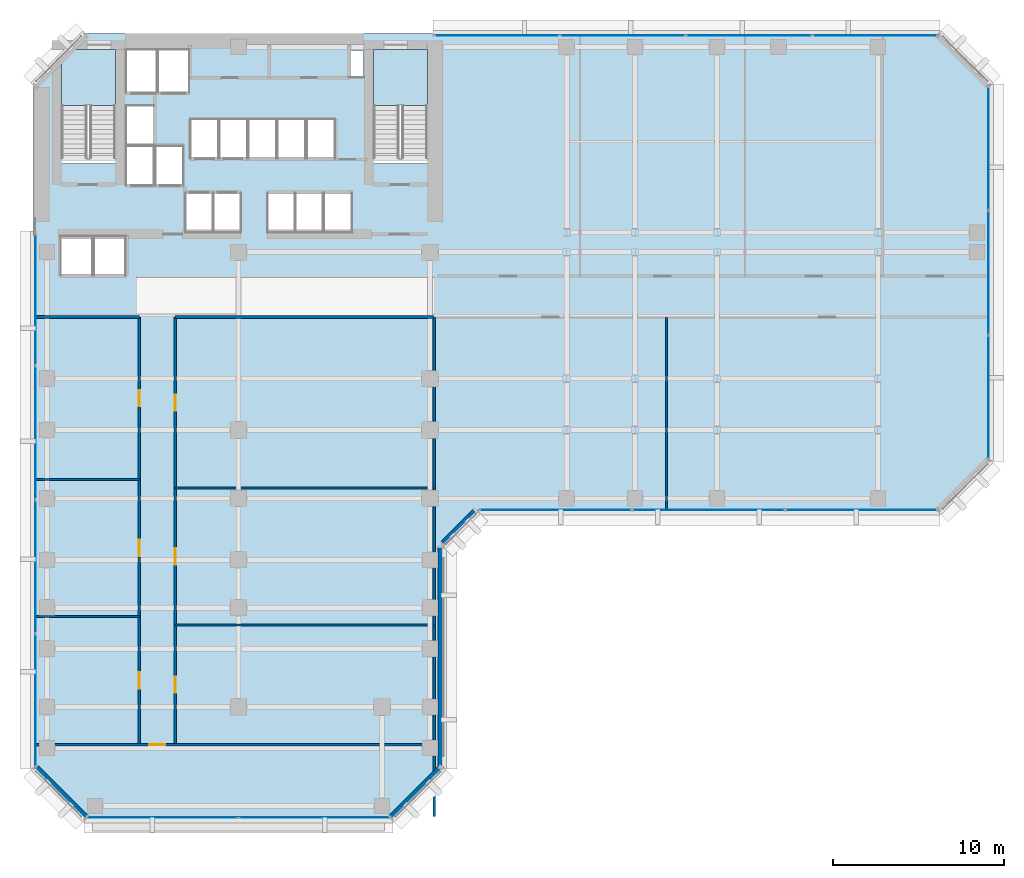
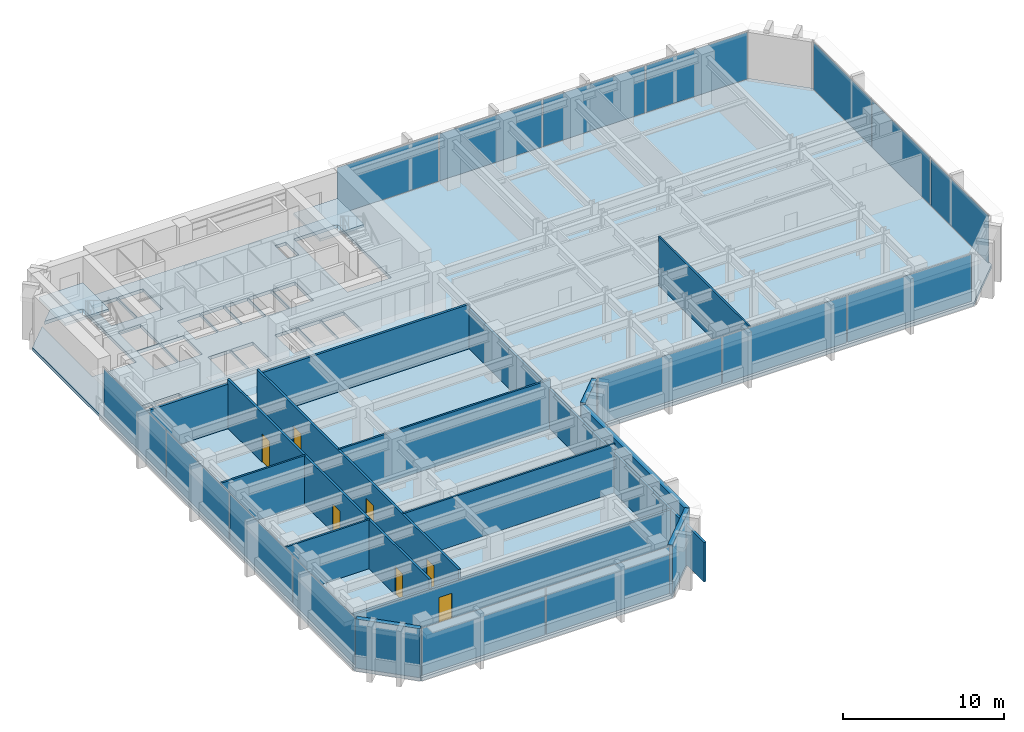
# One storey, part 6 of 13: 16 plates, 15 walls, 7 doors, 3 slabs, 7 openings, 7 elements without a shape of their own.
"""IFC4 building model written with IfcOpenShell, lengths in metres."""

from ifc_helpers import new_model, si_unit, direction, frame, frame_2d, origin, origin_2d, place, context, subcontext, project, spatial, polyline, rectangle, outline, extrude, material, layer, layer_set, type_object, element, fill, aggregate, save


model = new_model("IFC4")

# Units and contexts
model_context = context("Model", 3, precision=1e-05, world=origin(), true_north=direction((0.0, 1.0)))
body_context = subcontext(model_context, "Body", "Model", "MODEL_VIEW")
ifc_project = project(units=[si_unit("LENGTHUNIT", "METRE"), si_unit("AREAUNIT", "SQUARE_METRE"), si_unit("VOLUMEUNIT", "CUBIC_METRE"), si_unit("PLANEANGLEUNIT", "RADIAN"), si_unit("MASSUNIT", "GRAM", prefix="KILO")], contexts=[model_context])

# Site, building, storey
site_placement = place(None, origin())
site = spatial("IfcSite", under=ifc_project, at=site_placement, CompositionType="ELEMENT")
building_placement = place(site_placement, origin())
building = spatial("IfcBuilding", under=site, at=building_placement, Name="Kefirva Bronze Tower", CompositionType="ELEMENT")
storey_placement = place(building_placement, frame((0.0, 0.0, 98.669921875)))
storey = spatial("IfcBuildingStorey", under=building, at=storey_placement, Name="L23", CompositionType="ELEMENT", Elevation=98.669921875)

# Stair, slab
ifc_material_1 = material(Name="Concrete C40/50", Category="concrete")
stair_type = type_object("IfcStairType", Name="RC Dogleg Protected Stair 24R", PredefinedType="HALF_TURN_STAIR", material=ifc_material_1)
stair_1_placement = place(storey_placement, origin())
stair_1 = element("IfcStair", 1, at=stair_1_placement, inside=storey, type_object=stair_type, Name="L23 Protected Exit Stair 1", PredefinedType="HALF_TURN_STAIR")
ifc_layer_1 = layer(ifc_material_1, 0.199951171875, Name="Concrete C40/50")
ifc_layer_set_1 = layer_set([ifc_layer_1], Name="Concrete C40/50")
slab_type_1 = type_object("IfcSlabType", Name="RC Stair Landing Slab 200mm", PredefinedType="LANDING", material=ifc_layer_set_1)
slab_1_placement = place(storey_placement, frame((0.0, 0.0, 1.780029296875)))
slab_1 = element("IfcSlab", 2, at=slab_1_placement, type_object=slab_type_1, Name="ST-1 landing 1", PredefinedType="LANDING", context=body_context, shape_type="SweptSolid", body=[
    extrude(outline(polyline([(4.800048828125, 41.780029296875), (4.800048828125, 45.050048828125), (1.64990234375, 45.050048828125), (1.64990234375, 41.780029296875), (4.800048828125, 41.780029296875)])), origin(), (0.0, 0.0, 1.0), 0.199951171875),
])
aggregate(stair_1, [slab_1])

stair_2_placement = place(storey_placement, origin())
stair_2 = element("IfcStair", 3, at=stair_2_placement, inside=storey, type_object=stair_type, Name="L23 Protected Exit Stair 2", PredefinedType="HALF_TURN_STAIR")
slab_2_placement = place(storey_placement, frame((0.0, 0.0, 1.780029296875)))
slab_2 = element("IfcSlab", 4, at=slab_2_placement, type_object=slab_type_1, Name="ST-2 landing 1", PredefinedType="LANDING", context=body_context, shape_type="SweptSolid", body=[
    extrude(outline(polyline([(23.050048828125, 41.780029296875), (23.050048828125, 45.050048828125), (19.89990234375, 45.050048828125), (19.89990234375, 41.780029296875), (23.050048828125, 41.780029296875)])), origin(), (0.0, 0.0, 1.0), 0.199951171875),
])
aggregate(stair_2, [slab_2])

# Slab
ifc_layer_2 = layer(ifc_material_1, 0.25, Name="Concrete C40/50")
ifc_layer_set_2 = layer_set([ifc_layer_2], Name="Concrete C40/50")
slab_type_2 = type_object("IfcSlabType", Name="RC Tower Floor Slab 250mm", PredefinedType="FLOOR", material=ifc_layer_set_2)
slab_3_placement = place(storey_placement, frame((0.0, 0.0, -0.25)))
element("IfcSlab", 5, at=slab_3_placement, inside=storey, type_object=slab_type_2, Name="L23 Structural Floor Slab", PredefinedType="FLOOR", context=body_context, shape_type="SweptSolid", body=[
    extrude(outline(polyline([(0.0, 3.0), (0.0, 43.0), (1.64990234375, 44.64990234375), (1.64990234375, 38.39990234375), (4.800048828125, 38.39990234375), (4.800048828125, 45.050048828125), (2.050048828125, 45.050048828125), (3.0, 46.0), (53.0, 46.0), (56.0, 43.0), (56.0, 21.0), (53.0, 18.0), (26.0, 18.0), (24.0, 16.0), (24.0, 3.0), (21.0, 0.0), (3.0, 0.0), (0.0, 3.0)]), holes=[polyline([(19.89990234375, 38.39990234375), (23.050048828125, 38.39990234375), (23.050048828125, 45.050048828125), (19.89990234375, 45.050048828125), (19.89990234375, 38.39990234375)]), polyline([(18.52001953125, 43.419921875), (19.320068359375, 43.419921875), (19.320068359375, 45.0), (18.52001953125, 45.0), (18.52001953125, 43.419921875)]), polyline([(17.0, 34.35009765625), (18.64990234375, 34.35009765625), (18.64990234375, 36.64990234375), (17.0, 36.64990234375), (17.0, 34.35009765625)]), polyline([(17.64990234375, 38.679931640625), (17.64990234375, 40.97998046875), (16.0, 40.97998046875), (16.0, 38.679931640625), (17.64990234375, 38.679931640625)]), polyline([(16.949951171875, 34.35009765625), (16.949951171875, 36.64990234375), (15.35009765625, 36.64990234375), (15.35009765625, 34.35009765625), (16.949951171875, 34.35009765625)]), polyline([(15.929931640625, 38.679931640625), (15.929931640625, 40.97998046875), (14.300048828125, 40.97998046875), (14.300048828125, 38.679931640625), (15.929931640625, 38.679931640625)]), polyline([(15.300048828125, 34.35009765625), (15.300048828125, 36.64990234375), (13.699951171875, 36.64990234375), (13.699951171875, 34.35009765625), (15.300048828125, 34.35009765625)]), polyline([(14.22998046875, 38.679931640625), (14.22998046875, 40.97998046875), (12.60009765625, 40.97998046875), (12.60009765625, 38.679931640625), (14.22998046875, 38.679931640625)]), polyline([(10.89990234375, 38.679931640625), (12.530029296875, 38.679931640625), (12.530029296875, 40.97998046875), (10.89990234375, 40.97998046875), (10.89990234375, 38.679931640625)]), polyline([(12.139892578125, 34.35009765625), (12.139892578125, 36.64990234375), (10.5400390625, 36.64990234375), (10.5400390625, 34.35009765625), (12.139892578125, 34.35009765625)]), polyline([(10.830078125, 38.679931640625), (10.830078125, 40.97998046875), (9.199951171875, 40.97998046875), (9.199951171875, 38.679931640625), (10.830078125, 38.679931640625)]), polyline([(10.5, 34.35009765625), (10.5, 36.64990234375), (8.89990234375, 36.64990234375), (8.89990234375, 34.35009765625), (10.5, 34.35009765625)]), polyline([(7.300048828125, 42.550048828125), (9.1201171875, 42.550048828125), (9.1201171875, 45.050048828125), (7.300048828125, 45.050048828125), (7.300048828125, 42.550048828125)]), polyline([(7.139892578125, 37.10009765625), (8.780029296875, 37.10009765625), (8.780029296875, 39.39990234375), (7.139892578125, 39.39990234375), (7.139892578125, 37.10009765625)]), polyline([(5.419921875, 42.550048828125), (7.239990234375, 42.550048828125), (7.239990234375, 45.050048828125), (5.419921875, 45.050048828125), (5.419921875, 42.550048828125)]), polyline([(7.06005859375, 39.47998046875), (7.06005859375, 41.780029296875), (5.419921875, 41.780029296875), (5.419921875, 39.47998046875), (7.06005859375, 39.47998046875)]), polyline([(5.419921875, 37.10009765625), (7.06005859375, 37.10009765625), (7.06005859375, 39.39990234375), (5.419921875, 39.39990234375), (5.419921875, 37.10009765625)]), polyline([(5.39990234375, 31.85009765625), (5.39990234375, 34.14990234375), (3.550048828125, 34.14990234375), (3.550048828125, 31.85009765625), (5.39990234375, 31.85009765625)]), polyline([(3.449951171875, 31.85009765625), (3.449951171875, 34.14990234375), (1.60009765625, 34.14990234375), (1.60009765625, 31.85009765625), (3.449951171875, 31.85009765625)])]), origin(), (0.0, 0.0, 1.0), 0.25),
])

# Curtain wall, plates
ifc_material_2 = material(Name="Bronze anodised aluminium", Category="aluminium")
ifc_layer_3 = layer(ifc_material_2, 0.199951171875, Name="Bronze anodised aluminium")
ifc_layer_set_3 = layer_set([ifc_layer_3], Name="Bronze anodised aluminium")
curtain_wall_type = type_object("IfcCurtainWallType", Name="Unitised Bronze Ribbon Curtain Wall Zone 1", PredefinedType="USERDEFINED", material=ifc_layer_set_3)
curtain_wall_1_placement = place(storey_placement, origin())
curtain_wall_1 = element("IfcCurtainWall", 6, at=curtain_wall_1_placement, inside=storey, type_object=curtain_wall_type, Name="L23 Curtain Wall 1", ObjectType="UNITISED CURTAIN WALL", PredefinedType="USERDEFINED")
ifc_material_3 = material(Name="Laminated low-E double glazing", Category="glass")
ifc_layer_4 = layer(ifc_material_3, 0.031982421875, Name="Laminated low-E double glazing")
ifc_layer_set_4 = layer_set([ifc_layer_4], Name="Laminated low-E double glazing")
plate_type = type_object("IfcPlateType", Name="Solar-Control Low-E Vision Panel 32mm", PredefinedType="CURTAIN_PANEL", material=ifc_layer_set_4)
plate_1_placement = place(storey_placement, frame((7.546142578125, 0.1201171875, 0.074951171875), z_axis=(0.0, 0.0, 1.0), x_axis=(1.0, 0.0, 0.0)))
plate_1 = element("IfcPlate", 7, at=plate_1_placement, type_object=plate_type, Name="CW-01 panel 1.1", PredefinedType="CURTAIN_PANEL", context=body_context, shape_type="SweptSolid", body=[
    extrude(rectangle(XDim=8.83251953125, YDim=0.031982421875, at=origin_2d()), origin(), (0.0, 0.0, 1.0), 3.56005859375),
])
plate_2_placement = place(storey_placement, frame((16.453857421875, 0.1201171875, 0.074951171875), z_axis=(0.0, 0.0, 1.0), x_axis=(1.0, 0.0, 0.0)))
plate_2 = element("IfcPlate", 8, at=plate_2_placement, type_object=plate_type, Name="CW-01 panel 2.1", PredefinedType="CURTAIN_PANEL", context=body_context, shape_type="SweptSolid", body=[
    extrude(rectangle(XDim=8.83251953125, YDim=0.031982421875, at=origin_2d()), origin(), (0.0, 0.0, 1.0), 3.56005859375),
])
aggregate(curtain_wall_1, [plate_1, plate_2])

curtain_wall_2_placement = place(storey_placement, origin())
curtain_wall_2 = element("IfcCurtainWall", 9, at=curtain_wall_2_placement, inside=storey, type_object=curtain_wall_type, Name="L23 Curtain Wall 2", ObjectType="UNITISED CURTAIN WALL", PredefinedType="USERDEFINED")
plate_3_placement = place(storey_placement, frame((30.555419921875, 18.1201171875, 0.074951171875), z_axis=(0.0, 0.0, 1.0), x_axis=(1.0, 0.0, 0.0)))
plate_3 = element("IfcPlate", 10, at=plate_3_placement, type_object=plate_type, Name="CW-01 panel 1.1", PredefinedType="CURTAIN_PANEL", context=body_context, shape_type="SweptSolid", body=[
    extrude(rectangle(XDim=8.850830078125, YDim=0.031982421875, at=origin_2d()), origin(), (0.0, 0.0, 1.0), 3.56005859375),
])
plate_4_placement = place(storey_placement, frame((39.5, 18.1201171875, 0.074951171875), z_axis=(0.0, 0.0, 1.0), x_axis=(1.0, 0.0, 0.0)))
plate_4 = element("IfcPlate", 11, at=plate_4_placement, type_object=plate_type, Name="CW-01 panel 2.1", PredefinedType="CURTAIN_PANEL", context=body_context, shape_type="SweptSolid", body=[
    extrude(rectangle(XDim=8.888427734375, YDim=0.031982421875, at=origin_2d()), origin(), (0.0, 0.0, 1.0), 3.56005859375),
])
plate_5_placement = place(storey_placement, frame((48.444580078125, 18.1201171875, 0.074951171875), z_axis=(0.0, 0.0, 1.0), x_axis=(1.0, 0.0, 0.0)))
plate_5 = element("IfcPlate", 12, at=plate_5_placement, type_object=plate_type, Name="CW-01 panel 3.1", PredefinedType="CURTAIN_PANEL", context=body_context, shape_type="SweptSolid", body=[
    extrude(rectangle(XDim=8.850830078125, YDim=0.031982421875, at=origin_2d()), origin(), (0.0, 0.0, 1.0), 3.56005859375),
])
aggregate(curtain_wall_2, [plate_3, plate_4, plate_5])

curtain_wall_3_placement = place(storey_placement, origin())
curtain_wall_3 = element("IfcCurtainWall", 13, at=curtain_wall_3_placement, inside=storey, type_object=curtain_wall_type, Name="L23 Curtain Wall 3", ObjectType="UNITISED CURTAIN WALL", PredefinedType="USERDEFINED")
plate_6_placement = place(storey_placement, frame((55.8798828125, 24.72216796875, 0.074951171875), z_axis=(0.0, 0.0, 1.0), x_axis=(0.0, 1.0, 0.0)))
plate_6 = element("IfcPlate", 14, at=plate_6_placement, type_object=plate_type, Name="CW-01 panel 1.1", PredefinedType="CURTAIN_PANEL", context=body_context, shape_type="SweptSolid", body=[
    extrude(rectangle(XDim=7.18408203125, YDim=0.031982421875, at=origin_2d()), origin(), (0.0, 0.0, 1.0), 3.56005859375),
])
plate_7_placement = place(storey_placement, frame((55.8798828125, 32.0, 0.074951171875), z_axis=(0.0, 0.0, 1.0), x_axis=(0.0, 1.0, 0.0)))
plate_7 = element("IfcPlate", 15, at=plate_7_placement, type_object=plate_type, Name="CW-01 panel 2.1", PredefinedType="CURTAIN_PANEL", context=body_context, shape_type="SweptSolid", body=[
    extrude(rectangle(XDim=7.2216796875, YDim=0.031982421875, at=origin_2d()), origin(), (0.0, 0.0, 1.0), 3.56005859375),
])
plate_8_placement = place(storey_placement, frame((55.8798828125, 39.27783203125, 0.074951171875), z_axis=(0.0, 0.0, 1.0), x_axis=(0.0, 1.0, 0.0)))
plate_8 = element("IfcPlate", 16, at=plate_8_placement, type_object=plate_type, Name="CW-01 panel 3.1", PredefinedType="CURTAIN_PANEL", context=body_context, shape_type="SweptSolid", body=[
    extrude(rectangle(XDim=7.18408203125, YDim=0.031982421875, at=origin_2d()), origin(), (0.0, 0.0, 1.0), 3.56005859375),
])
aggregate(curtain_wall_3, [plate_6, plate_7, plate_8])

curtain_wall_4_placement = place(storey_placement, origin())
curtain_wall_4 = element("IfcCurtainWall", 17, at=curtain_wall_4_placement, inside=storey, type_object=curtain_wall_type, Name="L23 Curtain Wall 4", ObjectType="UNITISED CURTAIN WALL", PredefinedType="USERDEFINED")
plate_9_placement = place(storey_placement, frame((49.233642578125, 45.8798828125, 0.074951171875), z_axis=(0.0, 0.0, 1.0), x_axis=(-1.0, 0.0, 0.0)))
plate_9 = element("IfcPlate", 18, at=plate_9_placement, type_object=plate_type, Name="CW-01 panel 1.1", PredefinedType="CURTAIN_PANEL", context=body_context, shape_type="SweptSolid", body=[
    extrude(rectangle(XDim=7.2724609375, YDim=0.031982421875, at=origin_2d()), origin(), (0.0, 0.0, 1.0), 3.56005859375),
])
plate_10_placement = place(storey_placement, frame((41.867431640625, 45.8798828125, 0.074951171875), z_axis=(0.0, 0.0, 1.0), x_axis=(-1.0, 0.0, 0.0)))
plate_10 = element("IfcPlate", 19, at=plate_10_placement, type_object=plate_type, Name="CW-01 panel 2.1", PredefinedType="CURTAIN_PANEL", context=body_context, shape_type="SweptSolid", body=[
    extrude(rectangle(XDim=7.31005859375, YDim=0.031982421875, at=origin_2d()), origin(), (0.0, 0.0, 1.0), 3.56005859375),
])
plate_11_placement = place(storey_placement, frame((34.482421875, 45.8798828125, 0.074951171875), z_axis=(0.0, 0.0, 1.0), x_axis=(-1.0, 0.0, 0.0)))
plate_11 = element("IfcPlate", 20, at=plate_11_placement, type_object=plate_type, Name="CW-01 panel 3.1", PredefinedType="CURTAIN_PANEL", context=body_context, shape_type="SweptSolid", body=[
    extrude(rectangle(XDim=7.31005859375, YDim=0.031982421875, at=origin_2d()), origin(), (0.0, 0.0, 1.0), 3.56005859375),
])
plate_12_placement = place(storey_placement, frame((27.1162109375, 45.8798828125, 0.074951171875), z_axis=(0.0, 0.0, 1.0), x_axis=(-1.0, 0.0, 0.0)))
plate_12 = element("IfcPlate", 21, at=plate_12_placement, type_object=plate_type, Name="CW-01 panel 4.1", PredefinedType="CURTAIN_PANEL", context=body_context, shape_type="SweptSolid", body=[
    extrude(rectangle(XDim=7.2724609375, YDim=0.031982421875, at=origin_2d()), origin(), (0.0, 0.0, 1.0), 3.56005859375),
])
aggregate(curtain_wall_4, [plate_9, plate_10, plate_11, plate_12])

curtain_wall_5_placement = place(storey_placement, origin())
curtain_wall_5 = element("IfcCurtainWall", 22, at=curtain_wall_5_placement, inside=storey, type_object=curtain_wall_type, Name="L23 Curtain Wall 5", ObjectType="UNITISED CURTAIN WALL", PredefinedType="USERDEFINED")
plate_13_placement = place(storey_placement, frame((0.1201171875, 30.458740234375, 0.074951171875), z_axis=(0.0, 0.0, 1.0), x_axis=(0.0, -1.0, 0.0)))
plate_13 = element("IfcPlate", 23, at=plate_13_placement, type_object=plate_type, Name="CW-01 panel 1.1", PredefinedType="CURTAIN_PANEL", context=body_context, shape_type="SweptSolid", body=[
    extrude(rectangle(XDim=7.722412109375, YDim=0.031982421875, at=origin_2d()), origin(), (0.0, 0.0, 1.0), 3.56005859375),
])
plate_14_placement = place(storey_placement, frame((0.1201171875, 22.642578125, 0.074951171875), z_axis=(0.0, 0.0, 1.0), x_axis=(0.0, -1.0, 0.0)))
plate_14 = element("IfcPlate", 24, at=plate_14_placement, type_object=plate_type, Name="CW-01 panel 2.1", PredefinedType="CURTAIN_PANEL", context=body_context, shape_type="SweptSolid", body=[
    extrude(rectangle(XDim=7.760009765625, YDim=0.031982421875, at=origin_2d()), origin(), (0.0, 0.0, 1.0), 3.56005859375),
])
plate_15_placement = place(storey_placement, frame((0.1201171875, 14.8076171875, 0.074951171875), z_axis=(0.0, 0.0, 1.0), x_axis=(0.0, -1.0, 0.0)))
plate_15 = element("IfcPlate", 25, at=plate_15_placement, type_object=plate_type, Name="CW-01 panel 3.1", PredefinedType="CURTAIN_PANEL", context=body_context, shape_type="SweptSolid", body=[
    extrude(rectangle(XDim=7.760009765625, YDim=0.031982421875, at=origin_2d()), origin(), (0.0, 0.0, 1.0), 3.56005859375),
])
plate_16_placement = place(storey_placement, frame((0.1201171875, 6.9912109375, 0.074951171875), z_axis=(0.0, 0.0, 1.0), x_axis=(0.0, -1.0, 0.0)))
plate_16 = element("IfcPlate", 26, at=plate_16_placement, type_object=plate_type, Name="CW-01 panel 4.1", PredefinedType="CURTAIN_PANEL", context=body_context, shape_type="SweptSolid", body=[
    extrude(rectangle(XDim=7.722412109375, YDim=0.031982421875, at=origin_2d()), origin(), (0.0, 0.0, 1.0), 3.56005859375),
])
aggregate(curtain_wall_5, [plate_13, plate_14, plate_15, plate_16])

# Walls
ifc_material_4 = material(Name="Gypsum acoustic partition")
ifc_layer_5 = layer(ifc_material_4, 0.1298828125, Name="Gypsum acoustic partition")
ifc_layer_set_5 = layer_set([ifc_layer_5], Name="Gypsum acoustic partition")
wall_type_1 = type_object("IfcWallType", Name="Acoustic Office Partition 130mm", PredefinedType="PARTITIONING", material=ifc_layer_set_5)
for number, where, z_axis, x_axis, name in (
    (27, (0.18994140625, 11.89306640625, 0.0), (0.0, 0.0, 1.0), (1.0, 0.0, 0.0), "L23 Partition W-L23-SWD1"),
    (28, (0.18994140625, 19.896240234375, 0.0), (0.0, 0.0, 1.0), (1.0, 0.0, 0.0), "L23 Partition W-L23-SWD2"),
):
    element("IfcWall", number, at=place(storey_placement, frame(where, z_axis=z_axis, x_axis=x_axis)), inside=storey, type_object=wall_type_1, Name=name, PredefinedType="PARTITIONING", context=body_context, shape_type="SweptSolid", body=[
        extrude(rectangle(XDim=6.010009765625, YDim=0.1298828125, at=frame_2d((3.0048828125, 0.0))), origin(), (0.0, 0.0, 1.0), 3.7099609375),
    ])
for number, where, z_axis, x_axis, name in (
    (29, (8.300048828125, 11.392822265625, 0.0), (0.0, 0.0, 1.0), (1.0, 0.0, 0.0), "L23 Partition W-L23-SED1"),
    (30, (8.300048828125, 19.39599609375, 0.0), (0.0, 0.0, 1.0), (1.0, 0.0, 0.0), "L23 Partition W-L23-SED2"),
):
    element("IfcWall", number, at=place(storey_placement, frame(where, z_axis=z_axis, x_axis=x_axis)), inside=storey, type_object=wall_type_1, Name=name, PredefinedType="PARTITIONING", context=body_context, shape_type="SweptSolid", body=[
        extrude(rectangle(XDim=15.14990234375, YDim=0.1298828125, at=frame_2d((7.574951171875, 0.0))), origin(), (0.0, 0.0, 1.0), 3.7099609375),
    ])
wall_1_placement = place(storey_placement, frame((37.041259765625, 18.18994140625, 0.0), z_axis=(0.0, 0.0, 1.0), x_axis=(0.0, 1.0, 0.0)))
element("IfcWall", 31, at=wall_1_placement, inside=storey, type_object=wall_type_1, Name="L23 Partition W-L23-ESD1", PredefinedType="PARTITIONING", context=body_context, shape_type="SweptSolid", body=[
    extrude(rectangle(XDim=11.2099609375, YDim=0.1298828125, at=frame_2d((5.60498046875, 0.0))), origin(), (0.0, 0.0, 1.0), 3.7099609375),
])
ifc_material_5 = material(Name="Precast concrete C40/50", Category="concrete")
ifc_layer_6 = layer(ifc_material_5, 0.320068359375, Name="Precast concrete C40/50")
ifc_layer_set_6 = layer_set([ifc_layer_6], Name="Precast concrete C40/50")
wall_type_2 = type_object("IfcWallType", Name="Precast Insulated Exterior Wall 320mm", PredefinedType="SOLIDWALL", material=ifc_layer_set_6)
wall_2_placement = place(storey_placement, frame((20.92578125, 0.152099609375, 0.0), z_axis=(0.0, 0.0, 1.0), x_axis=(0.707106781187, 0.707106781187, 0.0)))
element("IfcWall", 32, at=wall_2_placement, inside=storey, type_object=wall_type_2, Name="L23 Exterior Facade Wall 1", PredefinedType="SOLIDWALL", context=body_context, shape_type="SweptSolid", body=[
    extrude(rectangle(XDim=4.132568359375, YDim=0.320068359375, at=frame_2d((2.06640625, 0.0))), origin(), (0.0, 0.0, 1.0), 3.7099609375),
])
wall_3_placement = place(storey_placement, frame((23.840087890625, 3.054931640625, 0.0), z_axis=(0.0, 0.0, 1.0), x_axis=(0.0, 1.0, 0.0)))
element("IfcWall", 33, at=wall_3_placement, inside=storey, type_object=wall_type_2, Name="L23 Exterior Facade Wall 2", PredefinedType="SOLIDWALL", context=body_context, shape_type="SweptSolid", body=[
    extrude(rectangle(XDim=12.89013671875, YDim=0.320068359375, at=frame_2d((6.445068359375, 0.0))), origin(), (0.0, 0.0, 1.0), 3.7099609375),
])
wall_4_placement = place(storey_placement, frame((23.92578125, 16.152099609375, 0.0), z_axis=(0.0, 0.0, 1.0), x_axis=(0.707106781187, 0.707106781187, 0.0)))
element("IfcWall", 34, at=wall_4_placement, inside=storey, type_object=wall_type_2, Name="L23 Exterior Facade Wall 3", PredefinedType="SOLIDWALL", context=body_context, shape_type="SweptSolid", body=[
    extrude(rectangle(XDim=2.71826171875, YDim=0.320068359375, at=frame_2d((1.359130859375, 0.0))), origin(), (0.0, 0.0, 1.0), 3.7099609375),
])
wall_5_placement = place(storey_placement, frame((0.152099609375, 3.07421875, 0.0), z_axis=(0.0, 0.0, 1.0), x_axis=(0.707106781187, -0.707106781187, 0.0)))
element("IfcWall", 35, at=wall_5_placement, inside=storey, type_object=wall_type_2, Name="L23 Exterior Facade Wall 7", PredefinedType="SOLIDWALL", context=body_context, shape_type="SweptSolid", body=[
    extrude(rectangle(XDim=4.132568359375, YDim=0.320068359375, at=frame_2d((2.06640625, 0.0))), origin(), (0.0, 0.0, 1.0), 3.7099609375),
])

# Wall, openings, doors
ifc_layer_7 = layer(ifc_material_4, 0.159912109375, Name="Gypsum acoustic partition")
ifc_layer_set_7 = layer_set([ifc_layer_7], Name="Gypsum acoustic partition")
wall_type_3 = type_object("IfcWallType", Name="Protected Corridor Partition 160mm", PredefinedType="PARTITIONING", material=ifc_layer_set_7)
wall_6_placement = place(storey_placement, frame((6.199951171875, 4.389892578125, 0.0), z_axis=(0.0, 0.0, 1.0), x_axis=(0.0, 1.0, 0.0)))
wall_6 = element("IfcWall", 36, at=wall_6_placement, inside=storey, type_object=wall_type_3, Name="L23 Partition W-L23-SWCORW", PredefinedType="PARTITIONING", context=body_context, shape_type="SweptSolid", body=[
    extrude(rectangle(XDim=25.010009765625, YDim=0.159912109375, at=frame_2d((12.5048828125, 0.0))), origin(), (0.0, 0.0, 1.0), 3.7099609375),
])
opening_1_placement = place(wall_6_placement, frame((4.2265625, 0.0, 0.0), z_axis=(0.0, 0.0, 1.0), x_axis=(-1.0, 0.0, 0.0)))
opening_1 = element("IfcOpeningElement", 37, at=opening_1_placement, cuts=wall_6, Name="Opening L23-D-SW1", PredefinedType="OPENING", context=body_context, shape_type="SweptSolid", body=[
    extrude(rectangle(XDim=0.949951171875, YDim=2.14990234375, at=frame_2d((0.47509765625, 1.074951171875))), frame((0.0, 0.08984375, 0.0), z_axis=(0.0, -1.0, 0.0), x_axis=(1.0, 0.0, 0.0)), (0.0, 0.0, 1.0), 0.179931640625),
])
opening_2_placement = place(wall_6_placement, frame((11.9794921875, 0.0, 0.0), z_axis=(0.0, 0.0, 1.0), x_axis=(-1.0, 0.0, 0.0)))
opening_2 = element("IfcOpeningElement", 38, at=opening_2_placement, cuts=wall_6, Name="Opening L23-D-SW2", PredefinedType="OPENING", context=body_context, shape_type="SweptSolid", body=[
    extrude(rectangle(XDim=0.949951171875, YDim=2.14990234375, at=frame_2d((0.47509765625, 1.074951171875))), frame((0.0, 0.08984375, 0.0), z_axis=(0.0, -1.0, 0.0), x_axis=(1.0, 0.0, 0.0)), (0.0, 0.0, 1.0), 0.179931640625),
])
opening_3_placement = place(wall_6_placement, frame((20.733154296875, 0.0, 0.0), z_axis=(0.0, 0.0, 1.0), x_axis=(-1.0, 0.0, 0.0)))
opening_3 = element("IfcOpeningElement", 39, at=opening_3_placement, cuts=wall_6, Name="Opening L23-D-SW3", PredefinedType="OPENING", context=body_context, shape_type="SweptSolid", body=[
    extrude(rectangle(XDim=0.949951171875, YDim=2.14990234375, at=frame_2d((0.47509765625, 1.074951171875))), frame((0.0, 0.08984375, 0.0), z_axis=(0.0, -1.0, 0.0), x_axis=(1.0, 0.0, 0.0)), (0.0, 0.0, 1.0), 0.179931640625),
])
ifc_material_6 = material(Name="Acoustic hardwood oak", Category="wood")
door_type = type_object("IfcDoorType", Name="Office & Meeting Room Door 950x2150", OperationType="NOTDEFINED", PredefinedType="DOOR", material=ifc_material_6)
door_1_placement = place(opening_1_placement, origin())
door_1 = element("IfcDoor", 40, at=door_1_placement, inside=storey, type_object=door_type, Name="Door L23-D-SW1", OperationType="SINGLE_SWING_LEFT", OverallHeight=2.14990234375, OverallWidth=0.949951171875, PredefinedType="DOOR", context=body_context, shape_type="SweptSolid", body=[
    extrude(rectangle(XDim=0.949951171875, YDim=2.14990234375, at=frame_2d((0.47509765625, 1.074951171875))), frame((0.0, 0.02490234375, 0.0), z_axis=(0.0, -1.0, 0.0), x_axis=(1.0, 0.0, 0.0)), (0.0, 0.0, 1.0), 0.050048828125),
])
fill(opening_1, door_1)
door_2_placement = place(opening_2_placement, origin())
door_2 = element("IfcDoor", 41, at=door_2_placement, inside=storey, type_object=door_type, Name="Door L23-D-SW2", OperationType="SINGLE_SWING_RIGHT", OverallHeight=2.14990234375, OverallWidth=0.949951171875, PredefinedType="DOOR", context=body_context, shape_type="SweptSolid", body=[
    extrude(rectangle(XDim=0.949951171875, YDim=2.14990234375, at=frame_2d((0.47509765625, 1.074951171875))), frame((0.0, 0.02490234375, 0.0), z_axis=(0.0, -1.0, 0.0), x_axis=(1.0, 0.0, 0.0)), (0.0, 0.0, 1.0), 0.050048828125),
])
fill(opening_2, door_2)
door_3_placement = place(opening_3_placement, origin())
door_3 = element("IfcDoor", 42, at=door_3_placement, inside=storey, type_object=door_type, Name="Door L23-D-SW3", OperationType="SINGLE_SWING_LEFT", OverallHeight=2.14990234375, OverallWidth=0.949951171875, PredefinedType="DOOR", context=body_context, shape_type="SweptSolid", body=[
    extrude(rectangle(XDim=0.949951171875, YDim=2.14990234375, at=frame_2d((0.47509765625, 1.074951171875))), frame((0.0, 0.02490234375, 0.0), z_axis=(0.0, -1.0, 0.0), x_axis=(1.0, 0.0, 0.0)), (0.0, 0.0, 1.0), 0.050048828125),
])
fill(opening_3, door_3)

wall_7_placement = place(storey_placement, frame((8.300048828125, 4.389892578125, 0.0), z_axis=(0.0, 0.0, 1.0), x_axis=(0.0, 1.0, 0.0)))
wall_7 = element("IfcWall", 43, at=wall_7_placement, inside=storey, type_object=wall_type_3, Name="L23 Partition W-L23-SECORE", PredefinedType="PARTITIONING", context=body_context, shape_type="SweptSolid", body=[
    extrude(rectangle(XDim=25.010009765625, YDim=0.159912109375, at=frame_2d((12.5048828125, 0.0))), origin(), (0.0, 0.0, 1.0), 3.7099609375),
])
opening_4_placement = place(wall_7_placement, frame((3.0263671875, 0.0, 0.0)))
opening_4 = element("IfcOpeningElement", 44, at=opening_4_placement, cuts=wall_7, Name="Opening L23-D-SE1", PredefinedType="OPENING", context=body_context, shape_type="SweptSolid", body=[
    extrude(rectangle(XDim=0.949951171875, YDim=2.14990234375, at=frame_2d((0.47509765625, 1.074951171875))), frame((0.0, 0.08984375, 0.0), z_axis=(0.0, -1.0, 0.0), x_axis=(1.0, 0.0, 0.0)), (0.0, 0.0, 1.0), 0.179931640625),
])
opening_5_placement = place(wall_7_placement, frame((10.529296875, 0.0, 0.0)))
opening_5 = element("IfcOpeningElement", 45, at=opening_5_placement, cuts=wall_7, Name="Opening L23-D-SE2", PredefinedType="OPENING", context=body_context, shape_type="SweptSolid", body=[
    extrude(rectangle(XDim=0.949951171875, YDim=2.14990234375, at=frame_2d((0.47509765625, 1.074951171875))), frame((0.0, 0.08984375, 0.0), z_axis=(0.0, -1.0, 0.0), x_axis=(1.0, 0.0, 0.0)), (0.0, 0.0, 1.0), 0.179931640625),
])
opening_6_placement = place(wall_7_placement, frame((19.532958984375, 0.0, 0.0)))
opening_6 = element("IfcOpeningElement", 46, at=opening_6_placement, cuts=wall_7, Name="Opening L23-D-SE3", PredefinedType="OPENING", context=body_context, shape_type="SweptSolid", body=[
    extrude(rectangle(XDim=0.949951171875, YDim=2.14990234375, at=frame_2d((0.47509765625, 1.074951171875))), frame((0.0, 0.08984375, 0.0), z_axis=(0.0, -1.0, 0.0), x_axis=(1.0, 0.0, 0.0)), (0.0, 0.0, 1.0), 0.179931640625),
])
door_4_placement = place(opening_4_placement, origin())
door_4 = element("IfcDoor", 47, at=door_4_placement, inside=storey, type_object=door_type, Name="Door L23-D-SE1", OperationType="SINGLE_SWING_RIGHT", OverallHeight=2.14990234375, OverallWidth=0.949951171875, PredefinedType="DOOR", context=body_context, shape_type="SweptSolid", body=[
    extrude(rectangle(XDim=0.949951171875, YDim=2.14990234375, at=frame_2d((0.47509765625, 1.074951171875))), frame((0.0, 0.02490234375, 0.0), z_axis=(0.0, -1.0, 0.0), x_axis=(1.0, 0.0, 0.0)), (0.0, 0.0, 1.0), 0.050048828125),
])
fill(opening_4, door_4)
door_5_placement = place(opening_5_placement, origin())
door_5 = element("IfcDoor", 48, at=door_5_placement, inside=storey, type_object=door_type, Name="Door L23-D-SE2", OperationType="SINGLE_SWING_LEFT", OverallHeight=2.14990234375, OverallWidth=0.949951171875, PredefinedType="DOOR", context=body_context, shape_type="SweptSolid", body=[
    extrude(rectangle(XDim=0.949951171875, YDim=2.14990234375, at=frame_2d((0.47509765625, 1.074951171875))), frame((0.0, 0.02490234375, 0.0), z_axis=(0.0, -1.0, 0.0), x_axis=(1.0, 0.0, 0.0)), (0.0, 0.0, 1.0), 0.050048828125),
])
fill(opening_5, door_5)
door_6_placement = place(opening_6_placement, origin())
door_6 = element("IfcDoor", 49, at=door_6_placement, inside=storey, type_object=door_type, Name="Door L23-D-SE3", OperationType="SINGLE_SWING_RIGHT", OverallHeight=2.14990234375, OverallWidth=0.949951171875, PredefinedType="DOOR", context=body_context, shape_type="SweptSolid", body=[
    extrude(rectangle(XDim=0.949951171875, YDim=2.14990234375, at=frame_2d((0.47509765625, 1.074951171875))), frame((0.0, 0.02490234375, 0.0), z_axis=(0.0, -1.0, 0.0), x_axis=(1.0, 0.0, 0.0)), (0.0, 0.0, 1.0), 0.050048828125),
])
fill(opening_6, door_6)

# Wall, opening, door
wall_8_placement = place(storey_placement, frame((0.18994140625, 4.389892578125, 0.0), z_axis=(0.0, 0.0, 1.0), x_axis=(1.0, 0.0, 0.0)))
wall_8 = element("IfcWall", 50, at=wall_8_placement, inside=storey, type_object=wall_type_3, Name="L23 Partition W-L23-SBEND", PredefinedType="PARTITIONING", context=body_context, shape_type="SweptSolid", body=[
    extrude(rectangle(XDim=23.260009765625, YDim=0.159912109375, at=frame_2d((11.6298828125, 0.0))), origin(), (0.0, 0.0, 1.0), 2.9951171875),
])
opening_7_placement = place(wall_8_placement, frame((6.590087890625, 0.0, 0.0)))
opening_7 = element("IfcOpeningElement", 51, at=opening_7_placement, cuts=wall_8, Name="Opening L23-D-SEND1", PredefinedType="OPENING", context=body_context, shape_type="SweptSolid", body=[
    extrude(rectangle(XDim=0.949951171875, YDim=2.14990234375, at=frame_2d((0.47509765625, 1.074951171875))), frame((0.0, 0.08984375, 0.0), z_axis=(0.0, -1.0, 0.0), x_axis=(1.0, 0.0, 0.0)), (0.0, 0.0, 1.0), 0.179931640625),
])
door_7_placement = place(opening_7_placement, origin())
door_7 = element("IfcDoor", 52, at=door_7_placement, inside=storey, type_object=door_type, Name="Door L23-D-SEND1", OperationType="SINGLE_SWING_RIGHT", OverallHeight=2.14990234375, OverallWidth=0.949951171875, PredefinedType="DOOR", context=body_context, shape_type="SweptSolid", body=[
    extrude(rectangle(XDim=0.949951171875, YDim=2.14990234375, at=frame_2d((0.47509765625, 1.074951171875))), frame((0.0, 0.02490234375, 0.0), z_axis=(0.0, -1.0, 0.0), x_axis=(1.0, 0.0, 0.0)), (0.0, 0.0, 1.0), 0.050048828125),
])
fill(opening_7, door_7)

# Walls
wall_9_placement = place(storey_placement, frame((0.18994140625, 29.39990234375, 0.0), z_axis=(0.0, 0.0, 1.0), x_axis=(1.0, 0.0, 0.0)))
element("IfcWall", 53, at=wall_9_placement, inside=storey, type_object=wall_type_3, Name="L23 Partition W-L23-NWT", PredefinedType="PARTITIONING", context=body_context, shape_type="SweptSolid", body=[
    extrude(rectangle(XDim=6.010009765625, YDim=0.159912109375, at=frame_2d((3.0048828125, 0.0))), origin(), (0.0, 0.0, 1.0), 3.364990234375),
])
wall_10_placement = place(storey_placement, frame((8.300048828125, 29.39990234375, 0.0), z_axis=(0.0, 0.0, 1.0), x_axis=(1.0, 0.0, 0.0)))
element("IfcWall", 54, at=wall_10_placement, inside=storey, type_object=wall_type_3, Name="L23 Partition W-L23-NET", PredefinedType="PARTITIONING", context=body_context, shape_type="SweptSolid", body=[
    extrude(rectangle(XDim=15.14990234375, YDim=0.159912109375, at=frame_2d((7.574951171875, 0.0))), origin(), (0.0, 0.0, 1.0), 3.364990234375),
])
wall_11_placement = place(storey_placement, frame((23.449951171875, 0.18994140625, 0.0), z_axis=(0.0, 0.0, 1.0), x_axis=(0.0, 1.0, 0.0)))
element("IfcWall", 55, at=wall_11_placement, inside=storey, type_object=wall_type_3, Name="L23 Partition W-L23-SWEAST", PredefinedType="PARTITIONING", context=body_context, shape_type="SweptSolid", body=[
    extrude(rectangle(XDim=29.2099609375, YDim=0.159912109375, at=frame_2d((14.60498046875, 0.0))), origin(), (0.0, 0.0, 1.0), 2.9951171875),
])

save(model, "model.ifc")
